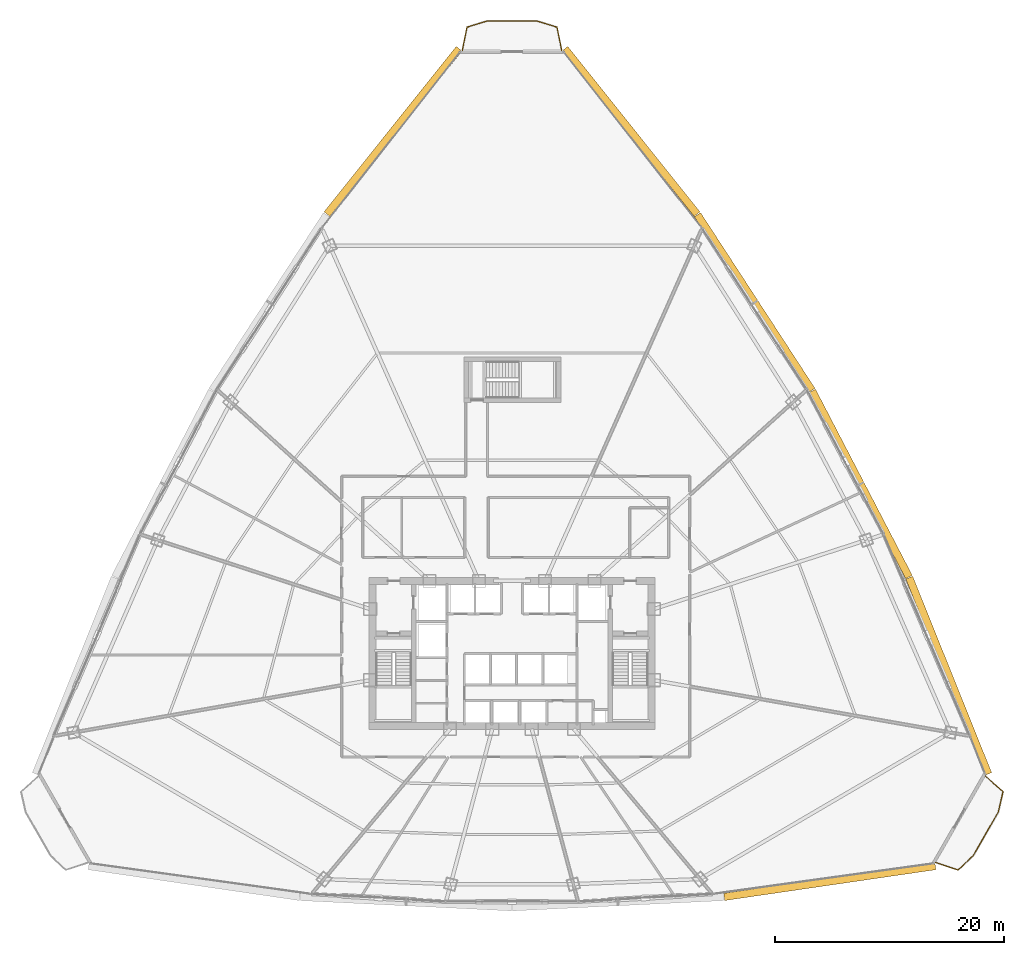
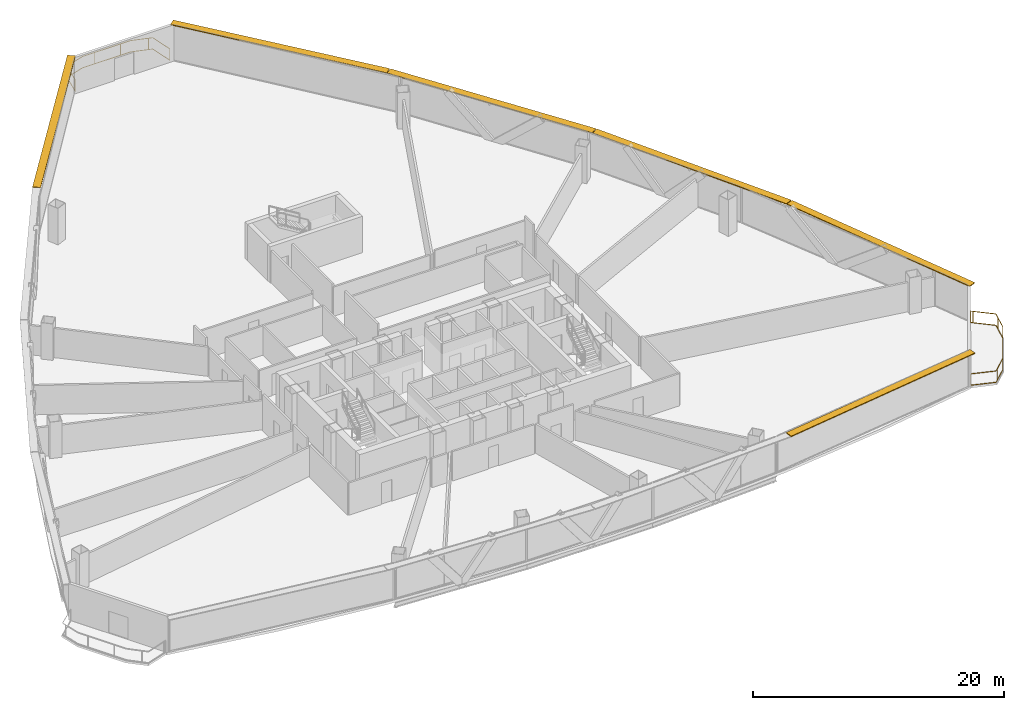
# One storey, part 36 of 36: 6 shading devices, 2 railings.
"""IFC4 building model written with IfcOpenShell, lengths in metres."""

from ifc_helpers import new_model, si_unit, direction, frame, origin, origin_2d, place, context, subcontext, project, spatial, rectangle, extrude, source, transform, mapped, material, layer, layer_set, type_object, element, save


model = new_model("IFC4")

# Units and contexts
model_context = context("Model", 3, precision=1e-05, world=origin(), true_north=direction((0.0, 1.0)))
body_context = subcontext(model_context, "Body", "Model", "MODEL_VIEW")
ifc_project = project(units=[si_unit("LENGTHUNIT", "METRE"), si_unit("AREAUNIT", "SQUARE_METRE"), si_unit("VOLUMEUNIT", "CUBIC_METRE"), si_unit("PLANEANGLEUNIT", "RADIAN"), si_unit("MASSUNIT", "GRAM", prefix="KILO"), si_unit("THERMODYNAMICTEMPERATUREUNIT", "KELVIN"), si_unit("POWERUNIT", "WATT")], contexts=[model_context])

# Site, building, storey
site_placement = place(None, origin())
site = spatial("IfcSite", under=ifc_project, at=site_placement, CompositionType="ELEMENT")
building_placement = place(site_placement, origin())
building = spatial("IfcBuilding", under=site, at=building_placement, Name="Yunzhuo Pagoda Commons", CompositionType="ELEMENT")
storey_placement = place(building_placement, frame((0.0, 0.0, 103.97998046875)))
storey = spatial("IfcBuildingStorey", under=building, at=storey_placement, Name="L26", CompositionType="ELEMENT", Elevation=103.97998046875)

# Railings
ifc_material = material(Name="Anodized aluminium 6063-T6", Category="aluminium")
railing_type = type_object("IfcRailingType", Name="RL-BAL1 Exterior Terrace & Balcony Balustrade 1150", PredefinedType="BALUSTRADE", material=ifc_material)
railing_1_placement = place(storey_placement, frame((85.062744140625, 15.5625, 0.0)))
element("IfcRailing", 1, at=railing_1_placement, inside=storey, type_object=railing_type, Name="L26 corner balcony balustrade V2", PredefinedType="BALUSTRADE", context=body_context, shape_type="SweptSolid", body=[
    extrude(rectangle(XDim=0.048095703125, YDim=0.048095703125, at=origin_2d()), frame((0.0, 0.0, 1.1259765625), z_axis=(0.947431200383, -0.31995956079, 0.0), x_axis=(0.31995956079, 0.947431200383, 0.0)), (0.0, 0.0, 1.0), 2.059326171875),
    extrude(rectangle(XDim=0.048095703125, YDim=0.048095703125, at=origin_2d()), frame((0.0, 0.0, 0.02392578125), z_axis=(0.947431200383, -0.31995956079, 0.0), x_axis=(0.31995956079, 0.947431200383, 0.0)), (0.0, 0.0, 1.0), 2.059326171875),
    extrude(rectangle(XDim=0.048095703125, YDim=0.048095703125, at=origin_2d()), frame((1.951171875, -0.658935546875, 1.1259765625), z_axis=(0.728904896871, 0.684614965741, 0.0), x_axis=(-0.684614965741, 0.728904896871, 0.0)), (0.0, 0.0, 1.0), 1.819091796875),
    extrude(rectangle(XDim=0.048095703125, YDim=0.048095703125, at=origin_2d()), frame((1.951171875, -0.658935546875, 0.02392578125), z_axis=(0.728904896871, 0.684614965741, 0.0), x_axis=(-0.684614965741, 0.728904896871, 0.0)), (0.0, 0.0, 1.0), 1.819091796875),
    extrude(rectangle(XDim=0.048095703125, YDim=0.048095703125, at=origin_2d()), frame((3.277099609375, 0.58642578125, 1.1259765625), z_axis=(0.497955580722, 0.867202536682, 0.0), x_axis=(-0.867202536682, 0.497955580722, 0.0)), (0.0, 0.0, 1.0), 4.4404296875),
    extrude(rectangle(XDim=0.048095703125, YDim=0.048095703125, at=origin_2d()), frame((3.277099609375, 0.58642578125, 0.02392578125), z_axis=(0.497955580722, 0.867202536682, 0.0), x_axis=(-0.867202536682, 0.497955580722, 0.0)), (0.0, 0.0, 1.0), 4.4404296875),
    extrude(rectangle(XDim=0.048095703125, YDim=0.048095703125, at=origin_2d()), frame((5.48828125, 4.437255859375, 1.1259765625), z_axis=(0.223732122611, 0.974650674505, 0.0), x_axis=(-0.974650674505, 0.223732122611, 0.0)), (0.0, 0.0, 1.0), 1.819091796875),
    extrude(rectangle(XDim=0.048095703125, YDim=0.048095703125, at=origin_2d()), frame((5.48828125, 4.437255859375, 0.02392578125), z_axis=(0.223732122611, 0.974650674505, 0.0), x_axis=(-0.974650674505, 0.223732122611, 0.0)), (0.0, 0.0, 1.0), 1.819091796875),
    extrude(rectangle(XDim=0.048095703125, YDim=0.048095703125, at=origin_2d()), frame((5.895263671875, 6.210205078125, 1.1259765625), z_axis=(-0.753984993137, 0.656891642605, 0.0), x_axis=(-0.656891642605, -0.753984993137, 0.0)), (0.0, 0.0, 1.0), 2.059326171875),
    extrude(rectangle(XDim=0.048095703125, YDim=0.048095703125, at=origin_2d()), frame((5.895263671875, 6.210205078125, 0.02392578125), z_axis=(-0.753984993137, 0.656891642605, 0.0), x_axis=(-0.656891642605, -0.753984993137, 0.0)), (0.0, 0.0, 1.0), 2.059326171875),
    extrude(rectangle(XDim=0.0419921875, YDim=0.0419921875, at=origin_2d()), origin(), (0.0, 0.0, 1.0), 1.101806640625),
    extrude(rectangle(XDim=0.0419921875, YDim=0.0419921875, at=origin_2d()), frame((2.199462890625, -0.42578125, 0.0)), (0.0, 0.0, 1.0), 1.101806640625),
    extrude(rectangle(XDim=0.0419921875, YDim=0.0419921875, at=origin_2d()), frame((3.736083984375, 1.385498046875, 0.0)), (0.0, 0.0, 1.0), 1.101806640625),
    extrude(rectangle(XDim=0.0419921875, YDim=0.0419921875, at=origin_2d()), frame((4.93115234375, 3.466796875, 0.0)), (0.0, 0.0, 1.0), 1.101806640625),
    extrude(rectangle(XDim=0.0419921875, YDim=0.0419921875, at=origin_2d()), frame((5.77490234375, 5.685791015625, 0.0)), (0.0, 0.0, 1.0), 1.101806640625),
    extrude(rectangle(XDim=0.0419921875, YDim=0.0419921875, at=origin_2d()), frame((4.491455078125, 7.433349609375, 0.0)), (0.0, 0.0, 1.0), 1.101806640625),
    extrude(rectangle(XDim=0.0419921875, YDim=0.0419921875, at=origin_2d()), frame((4.342529296875, 7.56298828125, 0.0)), (0.0, 0.0, 1.0), 1.101806640625),
])
railing_2_placement = place(storey_placement, frame((52.342041015625, 86.619140625, 0.0)))
element("IfcRailing", 2, at=railing_2_placement, inside=storey, type_object=railing_type, Name="L26 corner balcony balustrade V3", PredefinedType="BALUSTRADE", context=body_context, shape_type="SweptSolid", body=[
    extrude(rectangle(XDim=0.048095703125, YDim=0.048095703125, at=origin_2d()), frame((0.0, 0.0, 1.1259765625), z_axis=(-0.194200568098, 0.980961843983, 0.0), x_axis=(-0.980961843983, -0.194200568098, 0.0)), (0.0, 0.0, 1.0), 2.059326171875),
    extrude(rectangle(XDim=0.048095703125, YDim=0.048095703125, at=origin_2d()), frame((0.0, 0.0, 0.02392578125), z_axis=(-0.194200568098, 0.980961843983, 0.0), x_axis=(-0.980961843983, -0.194200568098, 0.0)), (0.0, 0.0, 1.0), 2.059326171875),
    extrude(rectangle(XDim=0.048095703125, YDim=0.048095703125, at=origin_2d()), frame((-0.39990234375, 2.02001953125, 1.1259765625), z_axis=(-0.956177612532, 0.292787249197, 0.0), x_axis=(-0.292787249197, -0.956177612532, 0.0)), (0.0, 0.0, 1.0), 1.810302734375),
    extrude(rectangle(XDim=0.048095703125, YDim=0.048095703125, at=origin_2d()), frame((-0.39990234375, 2.02001953125, 0.02392578125), z_axis=(-0.956177612532, 0.292787249197, 0.0), x_axis=(-0.292787249197, -0.956177612532, 0.0)), (0.0, 0.0, 1.0), 1.810302734375),
    extrude(rectangle(XDim=0.048095703125, YDim=0.048095703125, at=origin_2d()), frame((-2.130859375, 2.550048828125, 1.1259765625), z_axis=(-1.0, 0.0, 0.0), x_axis=(0.0, -1.0, 0.0)), (0.0, 0.0, 1.0), 4.42236328125),
    extrude(rectangle(XDim=0.048095703125, YDim=0.048095703125, at=origin_2d()), frame((-2.130859375, 2.550048828125, 0.02392578125), z_axis=(-1.0, 0.0, 0.0), x_axis=(0.0, -1.0, 0.0)), (0.0, 0.0, 1.0), 4.42236328125),
    extrude(rectangle(XDim=0.048095703125, YDim=0.048095703125, at=origin_2d()), frame((-6.55322265625, 2.550048828125, 1.1259765625), z_axis=(-0.956177612532, -0.292787249197, 0.0), x_axis=(0.292787249197, -0.956177612532, 0.0)), (0.0, 0.0, 1.0), 1.810302734375),
    extrude(rectangle(XDim=0.048095703125, YDim=0.048095703125, at=origin_2d()), frame((-6.55322265625, 2.550048828125, 0.02392578125), z_axis=(-0.956177612532, -0.292787249197, 0.0), x_axis=(0.292787249197, -0.956177612532, 0.0)), (0.0, 0.0, 1.0), 1.810302734375),
    extrude(rectangle(XDim=0.048095703125, YDim=0.048095703125, at=origin_2d()), frame((-8.2841796875, 2.02001953125, 1.1259765625), z_axis=(-0.194200568098, -0.980961843983, 0.0), x_axis=(0.980961843983, -0.194200568098, 0.0)), (0.0, 0.0, 1.0), 2.059326171875),
    extrude(rectangle(XDim=0.048095703125, YDim=0.048095703125, at=origin_2d()), frame((-8.2841796875, 2.02001953125, 0.02392578125), z_axis=(-0.194200568098, -0.980961843983, 0.0), x_axis=(0.980961843983, -0.194200568098, 0.0)), (0.0, 0.0, 1.0), 2.059326171875),
    extrude(rectangle(XDim=0.0419921875, YDim=0.0419921875, at=origin_2d()), origin(), (0.0, 0.0, 1.0), 1.101806640625),
    extrude(rectangle(XDim=0.0419921875, YDim=0.0419921875, at=origin_2d()), frame((-0.725830078125, 2.119873046875, 0.0)), (0.0, 0.0, 1.0), 1.101806640625),
    extrude(rectangle(XDim=0.0419921875, YDim=0.0419921875, at=origin_2d()), frame((-3.061279296875, 2.550048828125, 0.0)), (0.0, 0.0, 1.0), 1.101806640625),
    extrude(rectangle(XDim=0.0419921875, YDim=0.0419921875, at=origin_2d()), frame((-5.46142578125, 2.550048828125, 0.0)), (0.0, 0.0, 1.0), 1.101806640625),
    extrude(rectangle(XDim=0.0419921875, YDim=0.0419921875, at=origin_2d()), frame((-7.803955078125, 2.1669921875, 0.0)), (0.0, 0.0, 1.0), 1.101806640625),
    extrude(rectangle(XDim=0.0419921875, YDim=0.0419921875, at=origin_2d()), frame((-8.65283203125, 0.158203125, 0.0)), (0.0, 0.0, 1.0), 1.101806640625),
    extrude(rectangle(XDim=0.0419921875, YDim=0.0419921875, at=origin_2d()), frame((-8.68408203125, 0.0, 0.0)), (0.0, 0.0, 1.0), 1.101806640625),
])

# Shading devices
ifc_layer = layer(ifc_material, 0.080078125)
ifc_layer_set = layer_set([ifc_layer], Name="Anodized aluminium 6063-T6")
shading_device_type = type_object("IfcShadingDeviceType", Name="SH-SUN1 Pagoda Horizontal Sunshade Eave 650", PredefinedType="USERDEFINED", material=ifc_layer_set)
shared_shape_1 = source(origin(), body_context, "Body", "SweptSolid", [
    extrude(rectangle(XDim=18.667724609375, YDim=0.64990234375, at=origin_2d()), origin(), (0.0, 0.0, 1.0), 0.080078125),
])
shading_device_1_placement = place(storey_placement, frame((75.802001953125, 13.904541015625, 3.4599609375), z_axis=(0.0, 0.0, 1.0), x_axis=(0.989510666697, 0.144459823108, 0.0)))
element("IfcShadingDevice", 3, at=shading_device_1_placement, inside=storey, type_object=shading_device_type, Name="L26 horizontal pagoda sunshade eave F1.4", ObjectType="SUNSHADE", PredefinedType="USERDEFINED", context=body_context, shape_type="MappedRepresentation", body=[
    mapped(shared_shape_1, transform((0.0, 0.0, 0.0), scale=1.0)),
])
shared_shape_2 = source(origin(), body_context, "Body", "SweptSolid", [
    extrude(rectangle(XDim=18.517578125, YDim=0.64990234375, at=origin_2d()), origin(), (0.0, 0.0, 1.0), 0.080078125),
])
for number, where, z_axis, x_axis, name in (
    (4, (86.206787109375, 31.8935546875, 3.4599609375), (0.0, 0.0, 1.0), (-0.372987782576, 0.927836253899, 0.0), "L26 horizontal pagoda sunshade eave F2.1"),
    (5, (58.404296875, 79.522216796875, 3.4599609375), (0.0, 0.0, 1.0), (-0.624520471688, 0.781008438138, 0.0), "L26 horizontal pagoda sunshade eave F2.4"),
    (6, (37.595703125, 79.522216796875, 3.4599609375), (0.0, 0.0, 1.0), (-0.624520471688, -0.781008438138, 0.0), "L26 horizontal pagoda sunshade eave F3.1"),
):
    element("IfcShadingDevice", number, at=place(storey_placement, frame(where, z_axis=z_axis, x_axis=x_axis)), inside=storey, type_object=shading_device_type, Name=name, ObjectType="SUNSHADE", PredefinedType="USERDEFINED", context=body_context, shape_type="MappedRepresentation", body=[
        mapped(shared_shape_2, transform((0.0, 0.0, 0.0), scale=1.0)),
    ])
shared_shape_3 = source(origin(), body_context, "Body", "SweptSolid", [
    extrude(rectangle(XDim=18.341796875, YDim=0.64990234375, at=origin_2d()), origin(), (0.0, 0.0, 1.0), 0.080078125),
])
shading_device_2_placement = place(storey_placement, frame((78.497314453125, 48.678955078125, 3.4599609375), z_axis=(0.0, 0.0, 1.0), x_axis=(-0.461206683033, 0.88729273384, 0.0)))
element("IfcShadingDevice", 7, at=shading_device_2_placement, inside=storey, type_object=shading_device_type, Name="L26 horizontal pagoda sunshade eave F2.2", ObjectType="SUNSHADE", PredefinedType="USERDEFINED", context=body_context, shape_type="MappedRepresentation", body=[
    mapped(shared_shape_3, transform((0.0, 0.0, 0.0), scale=1.0)),
])
shared_shape_4 = source(origin(), body_context, "Body", "SweptSolid", [
    extrude(rectangle(XDim=18.342041015625, YDim=0.64990234375, at=origin_2d()), origin(), (0.0, 0.0, 1.0), 0.080078125),
])
shading_device_3_placement = place(storey_placement, frame((69.2294921875, 64.555419921875, 3.4599609375), z_axis=(0.0, 0.0, 1.0), x_axis=(-0.545838756973, 0.837890238269, 0.0)))
element("IfcShadingDevice", 8, at=shading_device_3_placement, inside=storey, type_object=shading_device_type, Name="L26 horizontal pagoda sunshade eave F2.3", ObjectType="SUNSHADE", PredefinedType="USERDEFINED", context=body_context, shape_type="MappedRepresentation", body=[
    mapped(shared_shape_4, transform((0.0, 0.0, 0.0), scale=1.0)),
])

save(model, "model.ifc")
